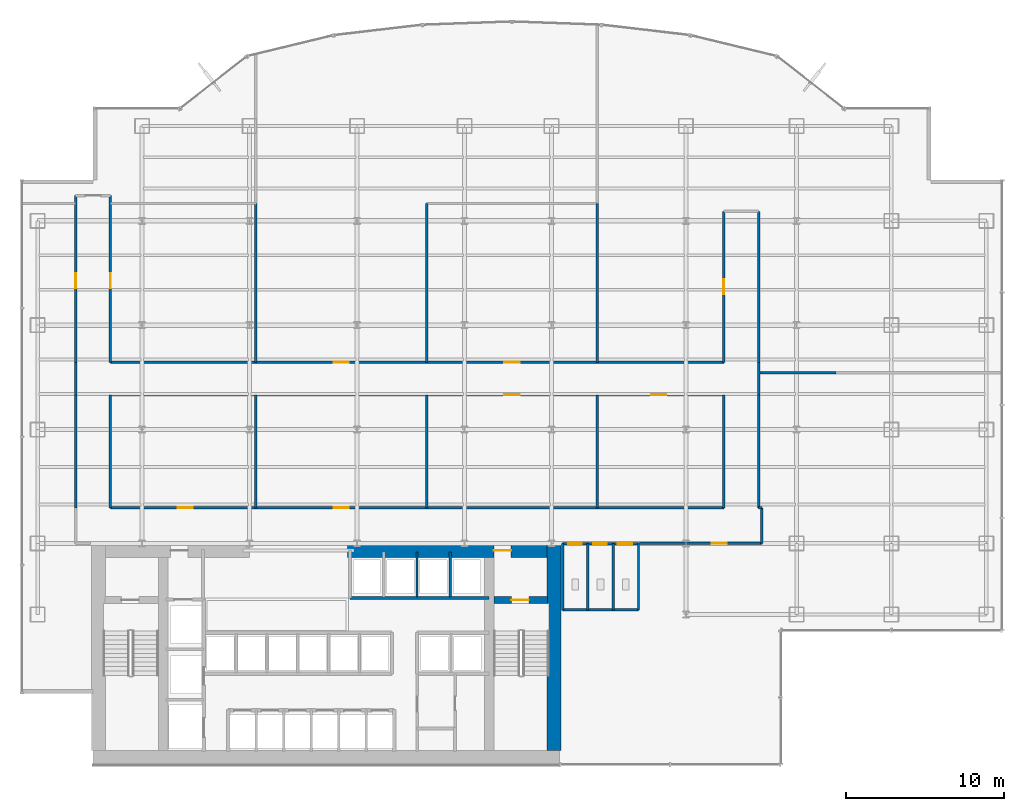
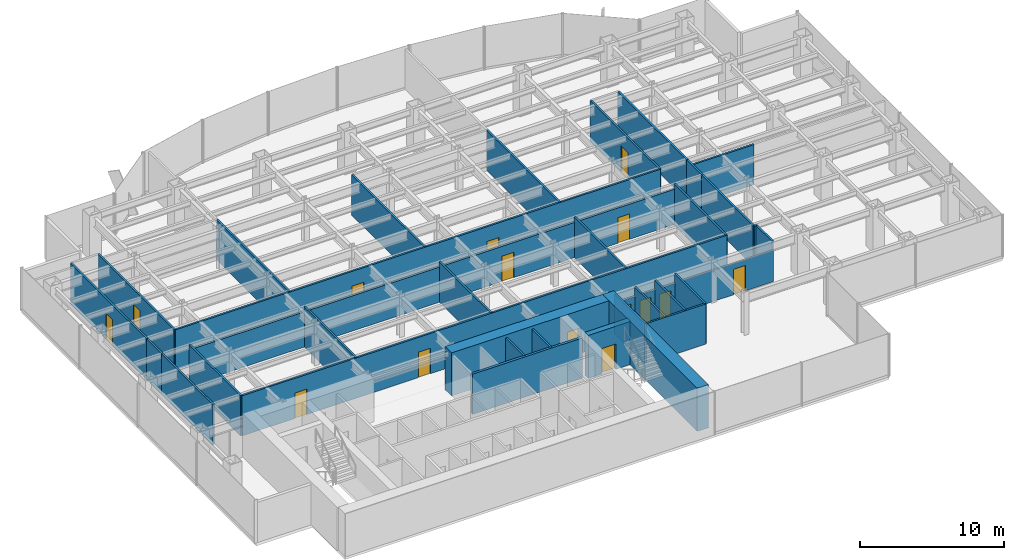
# One storey, part 19 of 23: 35 walls, 15 doors, 15 openings.
"""IFC4 building model written with IfcOpenShell, lengths in metres."""

from ifc_helpers import new_model, si_unit, derived_unit, direction, frame, frame_2d, origin, place, context, subcontext, project, spatial, rectangle, extrude, source, transform, mapped, material, layer, layer_set, type_object, element, fill, save


model = new_model("IFC4")

# Units and contexts
model_context = context("Model", 3, precision=1e-05, world=origin(), true_north=direction((0.0, 1.0)))
body_context = subcontext(model_context, "Body", "Model", "MODEL_VIEW")
ifc_project = project(units=[si_unit("LENGTHUNIT", "METRE"), si_unit("AREAUNIT", "SQUARE_METRE"), si_unit("VOLUMEUNIT", "CUBIC_METRE"), si_unit("PLANEANGLEUNIT", "RADIAN"), si_unit("MASSUNIT", "GRAM", prefix="KILO"), derived_unit("THERMALTRANSMITTANCEUNIT", [(si_unit("POWERUNIT", "WATT"), 1), (si_unit("LENGTHUNIT", "METRE"), -2), (si_unit("THERMODYNAMICTEMPERATUREUNIT", "KELVIN"), -1)])], contexts=[model_context])

# Site, building, storey
site_placement = place(None, origin())
site = spatial("IfcSite", under=ifc_project, at=site_placement, CompositionType="ELEMENT")
building_placement = place(site_placement, origin())
building = spatial("IfcBuilding", under=site, at=building_placement, Name="Skarnbrae Concourse Arena and Tower", CompositionType="ELEMENT")
storey_placement = place(building_placement, frame((0.0, 0.0, 50.75)))
storey = spatial("IfcBuildingStorey", under=building, at=storey_placement, Name="L11", CompositionType="ELEMENT", Elevation=50.75)

# Wall
ifc_material_1 = material(Name="Concrete 70 MPa (C70/85)", Category="concrete")
ifc_layer_1 = layer(ifc_material_1, 0.89990234375)
ifc_layer_set_1 = layer_set([ifc_layer_1], Name="Concrete 70 MPa (C70/85)")
wall_type_1 = type_object("IfcWallType", Name="WALL-CORE-900-C70", PredefinedType="SHEAR", material=ifc_layer_set_1)
shared_shape_1 = source(origin(), body_context, "Body", "SweptSolid", [
    extrude(rectangle(XDim=13.10009765625, YDim=0.89990234375, at=frame_2d((6.550048828125, 0.0))), origin(), (0.0, 0.0, 1.0), 3.64990234375),
])
wall_1_placement = place(storey_placement, frame((33.64990234375, 0.89990234375, 0.0), z_axis=(0.0, 0.0, 1.0), x_axis=(0.0, 1.0, 0.0)))
element("IfcWall", 1, at=wall_1_placement, inside=storey, type_object=wall_type_1, Name="L11 Rear core shear wall CW-E", PredefinedType="SHEAR", context=body_context, shape_type="MappedRepresentation", body=[
    mapped(shared_shape_1, transform((0.0, 0.0, 0.0))),
])

# Wall, opening, door
shared_shape_2 = source(origin(), body_context, "Body", "SweptSolid", [
    extrude(rectangle(XDim=12.599853515625, YDim=0.89990234375, at=frame_2d((6.2998046875, 0.0))), origin(), (0.0, 0.0, 1.0), 3.64990234375),
])
wall_2_placement = place(storey_placement, frame((20.60009765625, 13.550048828125, 0.0), z_axis=(0.0, 0.0, 1.0), x_axis=(1.0, 0.0, 0.0)))
wall_2 = element("IfcWall", 2, at=wall_2_placement, inside=storey, type_object=wall_type_1, Name="L11 Rear core shear wall CW-NE", PredefinedType="SHEAR", context=body_context, shape_type="MappedRepresentation", body=[
    mapped(shared_shape_2, transform((0.0, 0.0, 0.0))),
])
opening_1_placement = place(wall_2_placement, frame((9.25, 0.0, 0.0)))
opening_1 = element("IfcOpeningElement", 3, at=opening_1_placement, cuts=wall_2, Name="Opening DT-03", PredefinedType="OPENING", context=body_context, shape_type="SweptSolid", body=[
    extrude(rectangle(XDim=1.10009765625, YDim=2.14990234375, at=frame_2d((0.550048828125, 1.074951171875))), frame((0.0, 0.4599609375, 0.0), z_axis=(0.0, -1.0, 0.0), x_axis=(1.0, 0.0, 0.0)), (0.0, 0.0, 1.0), 0.919921875),
])
ifc_material_2 = material(Name="Steel CSA G40.21 350W", Category="steel")
door_type_1 = type_object("IfcDoorType", Name="DOOR-FIRE-1100-90M", OperationType="NOTDEFINED", PredefinedType="DOOR", material=ifc_material_2)
shared_shape_3 = source(origin(), body_context, "Body", "SweptSolid", [
    extrude(rectangle(XDim=1.10009765625, YDim=2.14990234375, at=frame_2d((0.550048828125, 1.074951171875))), frame((0.0, 0.02490234375, 0.0), z_axis=(0.0, -1.0, 0.0), x_axis=(1.0, 0.0, 0.0)), (0.0, 0.0, 1.0), 0.050048828125),
])
door_1_placement = place(opening_1_placement, origin())
door_1 = element("IfcDoor", 4, at=door_1_placement, inside=storey, type_object=door_type_1, Name="D-0468 Stair ST-2 Vestibule Door", OperationType="SINGLE_SWING_LEFT", OverallHeight=2.14990234375, OverallWidth=1.10009765625, PredefinedType="DOOR", context=body_context, shape_type="MappedRepresentation", body=[
    mapped(shared_shape_3, transform((0.0, 0.0, 0.0))),
])
fill(opening_1, door_1)

ifc_material_3 = material(Name="Concrete 50 MPa (C50/60)", Category="concrete")
ifc_layer_2 = layer(ifc_material_3, 0.449951171875)
ifc_layer_set_2 = layer_set([ifc_layer_2], Name="Concrete 50 MPa (C50/60)")
wall_type_2 = type_object("IfcWallType", Name="WALL-CORE-450-C50", PredefinedType="SHEAR", material=ifc_layer_set_2)
shared_shape_4 = source(origin(), body_context, "Body", "SweptSolid", [
    extrude(rectangle(XDim=3.389892578125, YDim=0.449951171875, at=frame_2d((1.69482421875, 0.0))), origin(), (0.0, 0.0, 1.0), 3.64990234375),
])
wall_3_placement = place(storey_placement, frame((29.860107421875, 10.419921875, 0.0), z_axis=(0.0, 0.0, 1.0), x_axis=(1.0, 0.0, 0.0)))
wall_3 = element("IfcWall", 5, at=wall_3_placement, inside=storey, type_object=wall_type_2, Name="L11 Rear core shear wall CW-ST2-N", PredefinedType="SHEAR", context=body_context, shape_type="MappedRepresentation", body=[
    mapped(shared_shape_4, transform((0.0, 0.0, 0.0))),
])
opening_2_placement = place(wall_3_placement, frame((1.10009765625, 0.0, 0.0)))
opening_2 = element("IfcOpeningElement", 6, at=opening_2_placement, cuts=wall_3, Name="Opening DT-03", PredefinedType="OPENING", context=body_context, shape_type="SweptSolid", body=[
    extrude(rectangle(XDim=1.10009765625, YDim=2.14990234375, at=frame_2d((0.550048828125, 1.074951171875))), frame((0.0, 0.23486328125, 0.0), z_axis=(0.0, -1.0, 0.0), x_axis=(1.0, 0.0, 0.0)), (0.0, 0.0, 1.0), 0.469970703125),
])
door_2_placement = place(opening_2_placement, frame((1.10009765625, 0.0, 0.0), z_axis=(0.0, 0.0, 1.0), x_axis=(-1.0, 0.0, 0.0)))
door_2 = element("IfcDoor", 7, at=door_2_placement, inside=storey, type_object=door_type_1, Name="D-0466 Stair ST-2 Door", OperationType="SINGLE_SWING_RIGHT", OverallHeight=2.14990234375, OverallWidth=1.10009765625, PredefinedType="DOOR", context=body_context, shape_type="MappedRepresentation", body=[
    mapped(shared_shape_3, transform((0.0, 0.0, 0.0))),
])
fill(opening_2, door_2)

# Walls
ifc_material_4 = material(Name="Gypsum board on cold-formed steel studs", Category="steel")
ifc_layer_3 = layer(ifc_material_4, 0.199951171875)
ifc_layer_set_3 = layer_set([ifc_layer_3], Name="Gypsum board on cold-formed steel studs")
wall_type_3 = type_object("IfcWallType", Name="WALL-PART-200-2HR", PredefinedType="PARTITIONING", material=ifc_layer_set_3)
shared_shape_5 = source(origin(), body_context, "Body", "SweptSolid", [
    extrude(rectangle(XDim=8.800048828125, YDim=0.199951171875, at=frame_2d((4.39990234375, 0.0))), origin(), (0.0, 0.0, 1.0), 3.39990234375),
])
wall_4_placement = place(storey_placement, frame((20.75, 10.550048828125, 0.0), z_axis=(0.0, 0.0, 1.0), x_axis=(1.0, 0.0, 0.0)))
element("IfcWall", 8, at=wall_4_placement, inside=storey, type_object=wall_type_3, Name="L11 Interior partition wall W-L11-B3N-S", PredefinedType="PARTITIONING", context=body_context, shape_type="MappedRepresentation", body=[
    mapped(shared_shape_5, transform((0.0, 0.0, 0.0))),
])
ifc_layer_4 = layer(ifc_material_4, 0.14990234375)
ifc_layer_set_4 = layer_set([ifc_layer_4], Name="Gypsum board on cold-formed steel studs")
wall_type_4 = type_object("IfcWallType", Name="WALL-PART-150", PredefinedType="PARTITIONING", material=ifc_layer_set_4)
shared_shape_6 = source(origin(), body_context, "Body", "SweptSolid", [
    extrude(rectangle(XDim=2.849853515625, YDim=0.14990234375, at=frame_2d((1.4248046875, 0.0))), origin(), (0.0, 0.0, 1.0), 3.39990234375),
])
for number, where, z_axis, x_axis, name in (
    (9, (24.989990234375, 10.60009765625, 0.0), (0.0, 0.0, 1.0), (0.0, 1.0, 0.0), "L11 Interior partition wall W-L11-B3N-P2"),
    (10, (27.090087890625, 10.60009765625, 0.0), (0.0, 0.0, 1.0), (0.0, 1.0, 0.0), "L11 Interior partition wall W-L11-B3N-P3"),
):
    element("IfcWall", number, at=place(storey_placement, frame(where, z_axis=z_axis, x_axis=x_axis)), inside=storey, type_object=wall_type_4, Name=name, PredefinedType="PARTITIONING", context=body_context, shape_type="MappedRepresentation", body=[
        mapped(shared_shape_6, transform((0.0, 0.0, 0.0))),
    ])
shared_shape_7 = source(origin(), body_context, "Body", "SweptSolid", [
    extrude(rectangle(XDim=4.89990234375, YDim=0.14990234375, at=frame_2d((2.449951171875, 0.0))), origin(), (0.0, 0.0, 1.0), 3.39990234375),
])
wall_5_placement = place(storey_placement, frame((51.5, 24.800048828125, 0.0), z_axis=(0.0, 0.0, 1.0), x_axis=(-1.0, 0.0, 0.0)))
element("IfcWall", 11, at=wall_5_placement, inside=storey, type_object=wall_type_4, Name="L11 Interior partition wall W-L11-DEM-33", PredefinedType="PARTITIONING", context=body_context, shape_type="MappedRepresentation", body=[
    mapped(shared_shape_7, transform((0.0, 0.0, 0.0))),
])

# Wall, openings, doors
shared_shape_8 = source(origin(), body_context, "Body", "SweptSolid", [
    extrude(rectangle(XDim=4.800048828125, YDim=0.14990234375, at=frame_2d((2.39990234375, 0.0))), origin(), (0.0, 0.0, 1.0), 2.625),
])
wall_6_placement = place(storey_placement, frame((34.199951171875, 13.97998046875, 0.0), z_axis=(0.0, 0.0, 1.0), x_axis=(1.0, 0.0, 0.0)))
wall_6 = element("IfcWall", 12, at=wall_6_placement, inside=storey, type_object=wall_type_4, Name="L11 Interior partition wall W-L11-WC-N", PredefinedType="PARTITIONING", context=body_context, shape_type="MappedRepresentation", body=[
    mapped(shared_shape_8, transform((0.0, 0.0, 0.0))),
])
opening_3_placement = place(wall_6_placement, frame((0.35009765625, 0.0, 0.0)))
opening_3 = element("IfcOpeningElement", 13, at=opening_3_placement, cuts=wall_6, Name="Opening DT-06", PredefinedType="OPENING", context=body_context, shape_type="SweptSolid", body=[
    extrude(rectangle(XDim=0.85009765625, YDim=2.10009765625, at=frame_2d((0.425048828125, 1.050048828125))), frame((0.0, 0.0849609375, 0.0), z_axis=(0.0, -1.0, 0.0), x_axis=(1.0, 0.0, 0.0)), (0.0, 0.0, 1.0), 0.169921875),
])
opening_4_placement = place(wall_6_placement, frame((1.949951171875, 0.0, 0.0)))
opening_4 = element("IfcOpeningElement", 14, at=opening_4_placement, cuts=wall_6, Name="Opening DT-06", PredefinedType="OPENING", context=body_context, shape_type="SweptSolid", body=[
    extrude(rectangle(XDim=0.85009765625, YDim=2.10009765625, at=frame_2d((0.425048828125, 1.050048828125))), frame((0.0, 0.0849609375, 0.0), z_axis=(0.0, -1.0, 0.0), x_axis=(1.0, 0.0, 0.0)), (0.0, 0.0, 1.0), 0.169921875),
])
opening_5_placement = place(wall_6_placement, frame((3.5, 0.0, 0.0)))
opening_5 = element("IfcOpeningElement", 15, at=opening_5_placement, cuts=wall_6, Name="Opening DT-05", PredefinedType="OPENING", context=body_context, shape_type="SweptSolid", body=[
    extrude(rectangle(XDim=0.89990234375, YDim=2.10009765625, at=frame_2d((0.449951171875, 1.050048828125))), frame((0.0, 0.0849609375, 0.0), z_axis=(0.0, -1.0, 0.0), x_axis=(1.0, 0.0, 0.0)), (0.0, 0.0, 1.0), 0.169921875),
])
ifc_material_5 = material(Name="Architectural oak veneer timber leaf", Category="wood")
door_type_2 = type_object("IfcDoorType", Name="DOOR-INT-850", OperationType="NOTDEFINED", PredefinedType="DOOR", material=ifc_material_5)
shared_shape_9 = source(origin(), body_context, "Body", "SweptSolid", [
    extrude(rectangle(XDim=0.85009765625, YDim=2.10009765625, at=frame_2d((0.425048828125, 1.050048828125))), frame((0.0, 0.02490234375, 0.0), z_axis=(0.0, -1.0, 0.0), x_axis=(1.0, 0.0, 0.0)), (0.0, 0.0, 1.0), 0.050048828125),
])
door_3_placement = place(opening_3_placement, frame((0.85009765625, 0.0, 0.0), z_axis=(0.0, 0.0, 1.0), x_axis=(-1.0, 0.0, 0.0)))
door_3 = element("IfcDoor", 16, at=door_3_placement, inside=storey, type_object=door_type_2, Name="D-0480 Male Washroom Door", OperationType="SINGLE_SWING_LEFT", OverallHeight=2.10009765625, OverallWidth=0.85009765625, PredefinedType="DOOR", context=body_context, shape_type="MappedRepresentation", body=[
    mapped(shared_shape_9, transform((0.0, 0.0, 0.0))),
])
fill(opening_3, door_3)
door_4_placement = place(opening_4_placement, frame((0.85009765625, 0.0, 0.0), z_axis=(0.0, 0.0, 1.0), x_axis=(-1.0, 0.0, 0.0)))
door_4 = element("IfcDoor", 17, at=door_4_placement, inside=storey, type_object=door_type_2, Name="D-0481 Female Washroom Door", OperationType="SINGLE_SWING_RIGHT", OverallHeight=2.10009765625, OverallWidth=0.85009765625, PredefinedType="DOOR", context=body_context, shape_type="MappedRepresentation", body=[
    mapped(shared_shape_9, transform((0.0, 0.0, 0.0))),
])
fill(opening_4, door_4)
door_type_3 = type_object("IfcDoorType", Name="DOOR-INT-900", OperationType="NOTDEFINED", PredefinedType="DOOR", material=ifc_material_5)
shared_shape_10 = source(origin(), body_context, "Body", "SweptSolid", [
    extrude(rectangle(XDim=0.89990234375, YDim=2.10009765625, at=frame_2d((0.449951171875, 1.050048828125))), frame((0.0, 0.02490234375, 0.0), z_axis=(0.0, -1.0, 0.0), x_axis=(1.0, 0.0, 0.0)), (0.0, 0.0, 1.0), 0.050048828125),
])
door_5_placement = place(opening_5_placement, frame((0.89990234375, 0.0, 0.0), z_axis=(0.0, 0.0, 1.0), x_axis=(-1.0, 0.0, 0.0)))
door_5 = element("IfcDoor", 18, at=door_5_placement, inside=storey, type_object=door_type_3, Name="D-0482 Accessible WC Door", OperationType="SINGLE_SWING_LEFT", OverallHeight=2.10009765625, OverallWidth=0.89990234375, PredefinedType="DOOR", context=body_context, shape_type="MappedRepresentation", body=[
    mapped(shared_shape_10, transform((0.0, 0.0, 0.0))),
])
fill(opening_5, door_5)

# Walls
shared_shape_11 = source(origin(), body_context, "Body", "SweptSolid", [
    extrude(rectangle(XDim=4.800048828125, YDim=0.14990234375, at=frame_2d((2.39990234375, 0.0))), origin(), (0.0, 0.0, 1.0), 3.39990234375),
])
wall_7_placement = place(storey_placement, frame((34.199951171875, 9.800048828125, 0.0), z_axis=(0.0, 0.0, 1.0), x_axis=(1.0, 0.0, 0.0)))
element("IfcWall", 19, at=wall_7_placement, inside=storey, type_object=wall_type_4, Name="L11 Interior partition wall W-L11-WC-S", PredefinedType="PARTITIONING", context=body_context, shape_type="MappedRepresentation", body=[
    mapped(shared_shape_11, transform((0.0, 0.0, 0.0))),
])
shared_shape_12 = source(origin(), body_context, "Body", "SweptSolid", [
    extrude(rectangle(XDim=4.179931640625, YDim=0.14990234375, at=frame_2d((2.08984375, 0.0))), origin(), (0.0, 0.0, 1.0), 3.39990234375),
])
for number, where, z_axis, x_axis, name in (
    (20, (39.0, 9.800048828125, 0.0), (0.0, 0.0, 1.0), (0.0, 1.0, 0.0), "L11 Interior partition wall W-L11-WC-E"),
    (21, (34.199951171875, 9.800048828125, 0.0), (0.0, 0.0, 1.0), (0.0, 1.0, 0.0), "L11 Interior partition wall W-L11-WC-W"),
    (22, (35.800048828125, 9.800048828125, 0.0), (0.0, 0.0, 1.0), (0.0, 1.0, 0.0), "L11 Interior partition wall W-L11-WC-D1"),
    (23, (37.39990234375, 9.800048828125, 0.0), (0.0, 0.0, 1.0), (0.0, 1.0, 0.0), "L11 Interior partition wall W-L11-WC-D2"),
):
    element("IfcWall", number, at=place(storey_placement, frame(where, z_axis=z_axis, x_axis=x_axis)), inside=storey, type_object=wall_type_4, Name=name, PredefinedType="PARTITIONING", context=body_context, shape_type="MappedRepresentation", body=[
        mapped(shared_shape_12, transform((0.0, 0.0, 0.0))),
    ])
ifc_layer_5 = layer(ifc_material_4, 0.14990234375)
ifc_layer_set_5 = layer_set([ifc_layer_5], Name="Gypsum board on cold-formed steel studs")
wall_type_5 = type_object("IfcWallType", Name="WALL-PART-150-1HR", PredefinedType="PARTITIONING", material=ifc_layer_set_5)
shared_shape_13 = source(origin(), body_context, "Body", "SweptSolid", [
    extrude(rectangle(XDim=2.25, YDim=0.14990234375, at=frame_2d((1.125, 0.0))), origin(), (0.0, 0.0, 1.0), 3.39990234375),
])
wall_8_placement = place(storey_placement, frame((46.800048828125, 16.25, 0.0), z_axis=(0.0, 0.0, 1.0), x_axis=(0.0, -1.0, 0.0)))
element("IfcWall", 24, at=wall_8_placement, inside=storey, type_object=wall_type_5, Name="L11 Interior partition wall W-L11-COR-15", PredefinedType="PARTITIONING", context=body_context, shape_type="MappedRepresentation", body=[
    mapped(shared_shape_13, transform((0.0, 0.0, 0.0))),
])
shared_shape_14 = source(origin(), body_context, "Body", "SweptSolid", [
    extrude(rectangle(XDim=7.14990234375, YDim=0.14990234375, at=frame_2d((3.574951171875, 0.0))), origin(), (0.0, 0.0, 1.0), 3.39990234375),
])
for number, where, z_axis, x_axis, name in (
    (25, (3.39990234375, 16.25, 0.0), (0.0, 0.0, 1.0), (0.0, 1.0, 0.0), "L11 Interior partition wall W-L11-COR-03"),
    (26, (46.60009765625, 23.39990234375, 0.0), (0.0, 0.0, 1.0), (0.0, -1.0, 0.0), "L11 Interior partition wall W-L11-COR-13"),
    (27, (44.39990234375, 16.25, 0.0), (0.0, 0.0, 1.0), (0.0, 1.0, 0.0), "L11 Interior partition wall W-L11-COR-18"),
    (28, (5.60009765625, 23.39990234375, 0.0), (0.0, 0.0, 1.0), (0.0, -1.0, 0.0), "L11 Interior partition wall W-L11-COR-20"),
):
    element("IfcWall", number, at=place(storey_placement, frame(where, z_axis=z_axis, x_axis=x_axis)), inside=storey, type_object=wall_type_5, Name=name, PredefinedType="PARTITIONING", context=body_context, shape_type="MappedRepresentation", body=[
        mapped(shared_shape_14, transform((0.0, 0.0, 0.0))),
    ])
for number, where, z_axis, x_axis, name in (
    (29, (14.800048828125, 23.39990234375, 0.0), (0.0, 0.0, 1.0), (0.0, -1.0, 0.0), "L11 Interior partition wall W-L11-DEM-23"),
    (30, (25.60009765625, 23.39990234375, 0.0), (0.0, 0.0, 1.0), (0.0, -1.0, 0.0), "L11 Interior partition wall W-L11-DEM-26"),
    (31, (36.39990234375, 23.39990234375, 0.0), (0.0, 0.0, 1.0), (0.0, -1.0, 0.0), "L11 Interior partition wall W-L11-DEM-29"),
):
    element("IfcWall", number, at=place(storey_placement, frame(where, z_axis=z_axis, x_axis=x_axis)), inside=storey, type_object=wall_type_4, Name=name, PredefinedType="PARTITIONING", context=body_context, shape_type="MappedRepresentation", body=[
        mapped(shared_shape_14, transform((0.0, 0.0, 0.0))),
    ])
shared_shape_15 = source(origin(), body_context, "Body", "SweptSolid", [
    extrude(rectangle(XDim=2.050048828125, YDim=0.14990234375, at=frame_2d((1.02490234375, 0.0))), origin(), (0.0, 0.0, 1.0), 3.39990234375),
])
for number, where, z_axis, x_axis, name in (
    (32, (3.39990234375, 23.39990234375, 0.0), (0.0, 0.0, 1.0), (0.0, 1.0, 0.0), "L11 Interior partition wall W-L11-COR-04"),
    (33, (46.60009765625, 25.449951171875, 0.0), (0.0, 0.0, 1.0), (0.0, -1.0, 0.0), "L11 Interior partition wall W-L11-COR-12"),
):
    element("IfcWall", number, at=place(storey_placement, frame(where, z_axis=z_axis, x_axis=x_axis)), inside=storey, type_object=wall_type_5, Name=name, PredefinedType="PARTITIONING", context=body_context, shape_type="MappedRepresentation", body=[
        mapped(shared_shape_15, transform((0.0, 0.0, 0.0))),
    ])

# Wall, opening, door
shared_shape_16 = source(origin(), body_context, "Body", "SweptSolid", [
    extrude(rectangle(XDim=10.550048828125, YDim=0.14990234375, at=frame_2d((5.27490234375, 0.0))), origin(), (0.0, 0.0, 1.0), 3.39990234375),
])
wall_9_placement = place(storey_placement, frame((3.39990234375, 25.449951171875, 0.0), z_axis=(0.0, 0.0, 1.0), x_axis=(0.0, 1.0, 0.0)))
wall_9 = element("IfcWall", 34, at=wall_9_placement, inside=storey, type_object=wall_type_5, Name="L11 Interior partition wall W-L11-COR-05", PredefinedType="PARTITIONING", context=body_context, shape_type="MappedRepresentation", body=[
    mapped(shared_shape_16, transform((0.0, 0.0, 0.0))),
])
opening_6_placement = place(wall_9_placement, frame((4.679931640625, 0.0, 0.0)))
opening_6 = element("IfcOpeningElement", 35, at=opening_6_placement, cuts=wall_9, Name="Opening DT-04", PredefinedType="OPENING", context=body_context, shape_type="SweptSolid", body=[
    extrude(rectangle(XDim=0.949951171875, YDim=2.14990234375, at=frame_2d((0.47509765625, 1.074951171875))), frame((0.0, 0.0849609375, 0.0), z_axis=(0.0, -1.0, 0.0), x_axis=(1.0, 0.0, 0.0)), (0.0, 0.0, 1.0), 0.169921875),
])
door_type_4 = type_object("IfcDoorType", Name="DOOR-INT-950-45M", OperationType="NOTDEFINED", PredefinedType="DOOR", material=ifc_material_2)
shared_shape_17 = source(origin(), body_context, "Body", "SweptSolid", [
    extrude(rectangle(XDim=0.949951171875, YDim=2.14990234375, at=frame_2d((0.47509765625, 1.074951171875))), frame((0.0, 0.02490234375, 0.0), z_axis=(0.0, -1.0, 0.0), x_axis=(1.0, 0.0, 0.0)), (0.0, 0.0, 1.0), 0.050048828125),
])
door_6_placement = place(opening_6_placement, origin())
door_6 = element("IfcDoor", 36, at=door_6_placement, inside=storey, type_object=door_type_4, Name="D-0483 L11 Suite Door 01", OperationType="SINGLE_SWING_RIGHT", OverallHeight=2.14990234375, OverallWidth=0.949951171875, PredefinedType="DOOR", context=body_context, shape_type="MappedRepresentation", body=[
    mapped(shared_shape_17, transform((0.0, 0.0, 0.0))),
])
fill(opening_6, door_6)

wall_10_placement = place(storey_placement, frame((5.60009765625, 36.0, 0.0), z_axis=(0.0, 0.0, 1.0), x_axis=(0.0, -1.0, 0.0)))
wall_10 = element("IfcWall", 37, at=wall_10_placement, inside=storey, type_object=wall_type_5, Name="L11 Interior partition wall W-L11-COR-07", PredefinedType="PARTITIONING", context=body_context, shape_type="MappedRepresentation", body=[
    mapped(shared_shape_16, transform((0.0, 0.0, 0.0))),
])
opening_7_placement = place(wall_10_placement, frame((4.919921875, 0.0, 0.0)))
opening_7 = element("IfcOpeningElement", 38, at=opening_7_placement, cuts=wall_10, Name="Opening DT-04", PredefinedType="OPENING", context=body_context, shape_type="SweptSolid", body=[
    extrude(rectangle(XDim=0.949951171875, YDim=2.14990234375, at=frame_2d((0.47509765625, 1.074951171875))), frame((0.0, 0.0849609375, 0.0), z_axis=(0.0, -1.0, 0.0), x_axis=(1.0, 0.0, 0.0)), (0.0, 0.0, 1.0), 0.169921875),
])
door_7_placement = place(opening_7_placement, origin())
door_7 = element("IfcDoor", 39, at=door_7_placement, inside=storey, type_object=door_type_4, Name="D-0486 L11 Suite Door 04", OperationType="SINGLE_SWING_LEFT", OverallHeight=2.14990234375, OverallWidth=0.949951171875, PredefinedType="DOOR", context=body_context, shape_type="MappedRepresentation", body=[
    mapped(shared_shape_17, transform((0.0, 0.0, 0.0))),
])
fill(opening_7, door_7)

# Wall, openings, doors
shared_shape_18 = source(origin(), body_context, "Body", "SweptSolid", [
    extrude(rectangle(XDim=38.7998046875, YDim=0.14990234375, at=frame_2d((19.39990234375, 0.0))), origin(), (0.0, 0.0, 1.0), 3.39990234375),
])
wall_11_placement = place(storey_placement, frame((5.60009765625, 25.449951171875, 0.0), z_axis=(0.0, 0.0, 1.0), x_axis=(1.0, 0.0, 0.0)))
wall_11 = element("IfcWall", 40, at=wall_11_placement, inside=storey, type_object=wall_type_5, Name="L11 Interior partition wall W-L11-COR-08", PredefinedType="PARTITIONING", context=body_context, shape_type="MappedRepresentation", body=[
    mapped(shared_shape_18, transform((0.0, 0.0, 0.0))),
])
opening_8_placement = place(wall_11_placement, frame((14.125, 0.0, 0.0)))
opening_8 = element("IfcOpeningElement", 41, at=opening_8_placement, cuts=wall_11, Name="Opening DT-04", PredefinedType="OPENING", context=body_context, shape_type="SweptSolid", body=[
    extrude(rectangle(XDim=0.949951171875, YDim=2.14990234375, at=frame_2d((0.47509765625, 1.074951171875))), frame((0.0, 0.0849609375, 0.0), z_axis=(0.0, -1.0, 0.0), x_axis=(1.0, 0.0, 0.0)), (0.0, 0.0, 1.0), 0.169921875),
])
opening_9_placement = place(wall_11_placement, frame((24.925048828125, 0.0, 0.0)))
opening_9 = element("IfcOpeningElement", 42, at=opening_9_placement, cuts=wall_11, Name="Opening DT-04", PredefinedType="OPENING", context=body_context, shape_type="SweptSolid", body=[
    extrude(rectangle(XDim=0.949951171875, YDim=2.14990234375, at=frame_2d((0.47509765625, 1.074951171875))), frame((0.0, 0.0849609375, 0.0), z_axis=(0.0, -1.0, 0.0), x_axis=(1.0, 0.0, 0.0)), (0.0, 0.0, 1.0), 0.169921875),
])
door_8_placement = place(opening_8_placement, origin())
door_8 = element("IfcDoor", 43, at=door_8_placement, inside=storey, type_object=door_type_4, Name="D-0488 L11 Suite Door 06", OperationType="SINGLE_SWING_LEFT", OverallHeight=2.14990234375, OverallWidth=0.949951171875, PredefinedType="DOOR", context=body_context, shape_type="MappedRepresentation", body=[
    mapped(shared_shape_17, transform((0.0, 0.0, 0.0))),
])
fill(opening_8, door_8)
door_9_placement = place(opening_9_placement, origin())
door_9 = element("IfcDoor", 44, at=door_9_placement, inside=storey, type_object=door_type_4, Name="D-0490 L11 Suite Door 08", OperationType="SINGLE_SWING_LEFT", OverallHeight=2.14990234375, OverallWidth=0.949951171875, PredefinedType="DOOR", context=body_context, shape_type="MappedRepresentation", body=[
    mapped(shared_shape_17, transform((0.0, 0.0, 0.0))),
])
fill(opening_9, door_9)

wall_12_placement = place(storey_placement, frame((5.60009765625, 16.25, 0.0), z_axis=(0.0, 0.0, 1.0), x_axis=(1.0, 0.0, 0.0)))
wall_12 = element("IfcWall", 45, at=wall_12_placement, inside=storey, type_object=wall_type_5, Name="L11 Interior partition wall W-L11-COR-17", PredefinedType="PARTITIONING", context=body_context, shape_type="MappedRepresentation", body=[
    mapped(shared_shape_18, transform((0.0, 0.0, 0.0))),
])
opening_10_placement = place(wall_12_placement, frame((4.2548828125, 0.0, 0.0)))
opening_10 = element("IfcOpeningElement", 46, at=opening_10_placement, cuts=wall_12, Name="Opening DT-04", PredefinedType="OPENING", context=body_context, shape_type="SweptSolid", body=[
    extrude(rectangle(XDim=0.949951171875, YDim=2.14990234375, at=frame_2d((0.47509765625, 1.074951171875))), frame((0.0, 0.0849609375, 0.0), z_axis=(0.0, -1.0, 0.0), x_axis=(1.0, 0.0, 0.0)), (0.0, 0.0, 1.0), 0.169921875),
])
opening_11_placement = place(wall_12_placement, frame((14.125, 0.0, 0.0)))
opening_11 = element("IfcOpeningElement", 47, at=opening_11_placement, cuts=wall_12, Name="Opening DT-04", PredefinedType="OPENING", context=body_context, shape_type="SweptSolid", body=[
    extrude(rectangle(XDim=0.949951171875, YDim=2.14990234375, at=frame_2d((0.47509765625, 1.074951171875))), frame((0.0, 0.0849609375, 0.0), z_axis=(0.0, -1.0, 0.0), x_axis=(1.0, 0.0, 0.0)), (0.0, 0.0, 1.0), 0.169921875),
])
door_10_placement = place(opening_10_placement, origin())
door_10 = element("IfcDoor", 48, at=door_10_placement, inside=storey, type_object=door_type_4, Name="D-0485 L11 Suite Door 03", OperationType="SINGLE_SWING_RIGHT", OverallHeight=2.14990234375, OverallWidth=0.949951171875, PredefinedType="DOOR", context=body_context, shape_type="MappedRepresentation", body=[
    mapped(shared_shape_17, transform((0.0, 0.0, 0.0))),
])
fill(opening_10, door_10)
door_11_placement = place(opening_11_placement, origin())
door_11 = element("IfcDoor", 49, at=door_11_placement, inside=storey, type_object=door_type_4, Name="D-0487 L11 Suite Door 05", OperationType="SINGLE_SWING_RIGHT", OverallHeight=2.14990234375, OverallWidth=0.949951171875, PredefinedType="DOOR", context=body_context, shape_type="MappedRepresentation", body=[
    mapped(shared_shape_17, transform((0.0, 0.0, 0.0))),
])
fill(opening_11, door_11)

# Wall, opening, door
shared_shape_19 = source(origin(), body_context, "Body", "SweptSolid", [
    extrude(rectangle(XDim=9.550048828125, YDim=0.14990234375, at=frame_2d((4.77490234375, 0.0))), origin(), (0.0, 0.0, 1.0), 3.39990234375),
])
wall_13_placement = place(storey_placement, frame((44.39990234375, 25.449951171875, 0.0), z_axis=(0.0, 0.0, 1.0), x_axis=(0.0, 1.0, 0.0)))
wall_13 = element("IfcWall", 50, at=wall_13_placement, inside=storey, type_object=wall_type_5, Name="L11 Interior partition wall W-L11-COR-09", PredefinedType="PARTITIONING", context=body_context, shape_type="MappedRepresentation", body=[
    mapped(shared_shape_19, transform((0.0, 0.0, 0.0))),
])
opening_12_placement = place(wall_13_placement, frame((4.300048828125, 0.0, 0.0)))
opening_12 = element("IfcOpeningElement", 51, at=opening_12_placement, cuts=wall_13, Name="Opening DT-04", PredefinedType="OPENING", context=body_context, shape_type="SweptSolid", body=[
    extrude(rectangle(XDim=0.949951171875, YDim=2.14990234375, at=frame_2d((0.47509765625, 1.074951171875))), frame((0.0, 0.0849609375, 0.0), z_axis=(0.0, -1.0, 0.0), x_axis=(1.0, 0.0, 0.0)), (0.0, 0.0, 1.0), 0.169921875),
])
door_12_placement = place(opening_12_placement, origin())
door_12 = element("IfcDoor", 52, at=door_12_placement, inside=storey, type_object=door_type_4, Name="D-0492 L11 Suite Door 10", OperationType="SINGLE_SWING_LEFT", OverallHeight=2.14990234375, OverallWidth=0.949951171875, PredefinedType="DOOR", context=body_context, shape_type="MappedRepresentation", body=[
    mapped(shared_shape_17, transform((0.0, 0.0, 0.0))),
])
fill(opening_12, door_12)

# Walls
wall_14_placement = place(storey_placement, frame((46.60009765625, 35.0, 0.0), z_axis=(0.0, 0.0, 1.0), x_axis=(0.0, -1.0, 0.0)))
element("IfcWall", 53, at=wall_14_placement, inside=storey, type_object=wall_type_5, Name="L11 Interior partition wall W-L11-COR-11", PredefinedType="PARTITIONING", context=body_context, shape_type="MappedRepresentation", body=[
    mapped(shared_shape_19, transform((0.0, 0.0, 0.0))),
])
shared_shape_20 = source(origin(), body_context, "Body", "SweptSolid", [
    extrude(rectangle(XDim=0.199951171875, YDim=0.14990234375, at=frame_2d((0.10009765625, 0.0))), origin(), (0.0, 0.0, 1.0), 3.39990234375),
])
wall_15_placement = place(storey_placement, frame((46.60009765625, 16.25, 0.0), z_axis=(0.0, 0.0, 1.0), x_axis=(1.0, 0.0, 0.0)))
element("IfcWall", 54, at=wall_15_placement, inside=storey, type_object=wall_type_5, Name="L11 Interior partition wall W-L11-COR-14", PredefinedType="PARTITIONING", context=body_context, shape_type="MappedRepresentation", body=[
    mapped(shared_shape_20, transform((0.0, 0.0, 0.0))),
])

# Wall, opening, door
shared_shape_21 = source(origin(), body_context, "Body", "SweptSolid", [
    extrude(rectangle(XDim=7.75, YDim=0.14990234375, at=frame_2d((3.875, 0.0))), origin(), (0.0, 0.0, 1.0), 2.625),
])
wall_16_placement = place(storey_placement, frame((46.800048828125, 14.0, 0.0), z_axis=(0.0, 0.0, 1.0), x_axis=(-1.0, 0.0, 0.0)))
wall_16 = element("IfcWall", 55, at=wall_16_placement, inside=storey, type_object=wall_type_5, Name="L11 Interior partition wall W-L11-COR-16", PredefinedType="PARTITIONING", context=body_context, shape_type="MappedRepresentation", body=[
    mapped(shared_shape_21, transform((0.0, 0.0, 0.0))),
])
opening_13_placement = place(wall_16_placement, frame((2.22607421875, 0.0, 0.0)))
opening_13 = element("IfcOpeningElement", 56, at=opening_13_placement, cuts=wall_16, Name="Opening DT-04", PredefinedType="OPENING", context=body_context, shape_type="SweptSolid", body=[
    extrude(rectangle(XDim=0.949951171875, YDim=2.14990234375, at=frame_2d((0.47509765625, 1.074951171875))), frame((0.0, 0.0849609375, 0.0), z_axis=(0.0, -1.0, 0.0), x_axis=(1.0, 0.0, 0.0)), (0.0, 0.0, 1.0), 0.169921875),
])
door_13_placement = place(opening_13_placement, origin())
door_13 = element("IfcDoor", 57, at=door_13_placement, inside=storey, type_object=door_type_4, Name="D-0493 L11 Suite Door 11", OperationType="SINGLE_SWING_RIGHT", OverallHeight=2.14990234375, OverallWidth=0.949951171875, PredefinedType="DOOR", context=body_context, shape_type="MappedRepresentation", body=[
    mapped(shared_shape_17, transform((0.0, 0.0, 0.0))),
])
fill(opening_13, door_13)

# Wall, openings, doors
shared_shape_22 = source(origin(), body_context, "Body", "SweptSolid", [
    extrude(rectangle(XDim=38.7998046875, YDim=0.14990234375, at=frame_2d((19.39990234375, 0.0))), origin(), (0.0, 0.0, 1.0), 2.97802734375),
])
wall_17_placement = place(storey_placement, frame((44.39990234375, 23.39990234375, 0.0), z_axis=(0.0, 0.0, 1.0), x_axis=(-1.0, 0.0, 0.0)))
wall_17 = element("IfcWall", 58, at=wall_17_placement, inside=storey, type_object=wall_type_5, Name="L11 Interior partition wall W-L11-COR-19", PredefinedType="PARTITIONING", context=body_context, shape_type="MappedRepresentation", body=[
    mapped(shared_shape_22, transform((0.0, 0.0, 0.0))),
])
opening_14_placement = place(wall_17_placement, frame((12.925048828125, 0.0, 0.0)))
opening_14 = element("IfcOpeningElement", 59, at=opening_14_placement, cuts=wall_17, Name="Opening DT-04", PredefinedType="OPENING", context=body_context, shape_type="SweptSolid", body=[
    extrude(rectangle(XDim=0.949951171875, YDim=2.14990234375, at=frame_2d((0.47509765625, 1.074951171875))), frame((0.0, 0.0849609375, 0.0), z_axis=(0.0, -1.0, 0.0), x_axis=(1.0, 0.0, 0.0)), (0.0, 0.0, 1.0), 0.169921875),
])
opening_15_placement = place(wall_17_placement, frame((3.655029296875, 0.0, 0.0)))
opening_15 = element("IfcOpeningElement", 60, at=opening_15_placement, cuts=wall_17, Name="Opening DT-04", PredefinedType="OPENING", context=body_context, shape_type="SweptSolid", body=[
    extrude(rectangle(XDim=0.949951171875, YDim=2.14990234375, at=frame_2d((0.47509765625, 1.074951171875))), frame((0.0, 0.0849609375, 0.0), z_axis=(0.0, -1.0, 0.0), x_axis=(1.0, 0.0, 0.0)), (0.0, 0.0, 1.0), 0.169921875),
])
door_14_placement = place(opening_14_placement, origin())
door_14 = element("IfcDoor", 61, at=door_14_placement, inside=storey, type_object=door_type_4, Name="D-0489 L11 Suite Door 07", OperationType="SINGLE_SWING_RIGHT", OverallHeight=2.14990234375, OverallWidth=0.949951171875, PredefinedType="DOOR", context=body_context, shape_type="MappedRepresentation", body=[
    mapped(shared_shape_17, transform((0.0, 0.0, 0.0))),
])
fill(opening_14, door_14)
door_15_placement = place(opening_15_placement, origin())
door_15 = element("IfcDoor", 62, at=door_15_placement, inside=storey, type_object=door_type_4, Name="D-0491 L11 Suite Door 09", OperationType="SINGLE_SWING_RIGHT", OverallHeight=2.14990234375, OverallWidth=0.949951171875, PredefinedType="DOOR", context=body_context, shape_type="MappedRepresentation", body=[
    mapped(shared_shape_17, transform((0.0, 0.0, 0.0))),
])
fill(opening_15, door_15)

# Walls
shared_shape_23 = source(origin(), body_context, "Body", "SweptSolid", [
    extrude(rectangle(XDim=10.050048828125, YDim=0.14990234375, at=frame_2d((5.02490234375, 0.0))), origin(), (0.0, 0.0, 1.0), 3.39990234375),
])
for number, where, z_axis, x_axis, name in (
    (63, (14.800048828125, 35.5, 0.0), (0.0, 0.0, 1.0), (0.0, -1.0, 0.0), "L11 Interior partition wall W-L11-DEM-24"),
    (64, (25.60009765625, 35.5, 0.0), (0.0, 0.0, 1.0), (0.0, -1.0, 0.0), "L11 Interior partition wall W-L11-DEM-28"),
    (65, (36.39990234375, 35.5, 0.0), (0.0, 0.0, 1.0), (0.0, -1.0, 0.0), "L11 Interior partition wall W-L11-DEM-30"),
):
    element("IfcWall", number, at=place(storey_placement, frame(where, z_axis=z_axis, x_axis=x_axis)), inside=storey, type_object=wall_type_4, Name=name, PredefinedType="PARTITIONING", context=body_context, shape_type="MappedRepresentation", body=[
        mapped(shared_shape_23, transform((0.0, 0.0, 0.0))),
    ])

save(model, "model.ifc")
